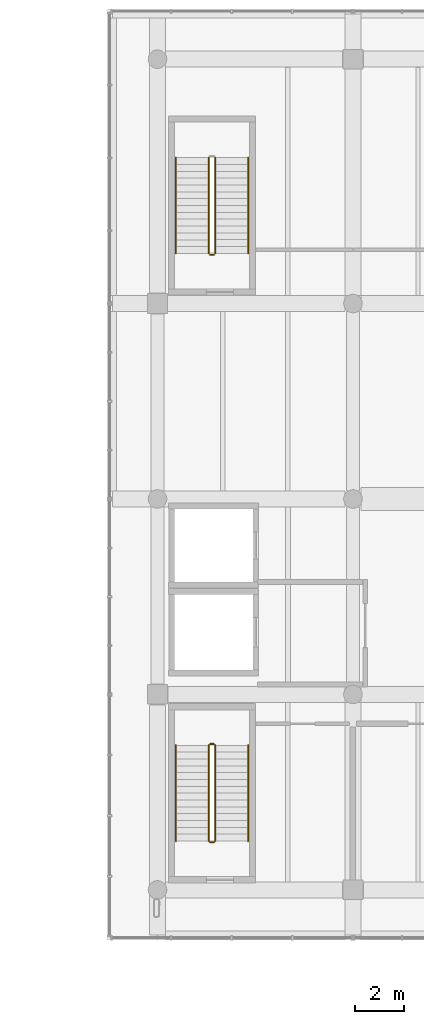
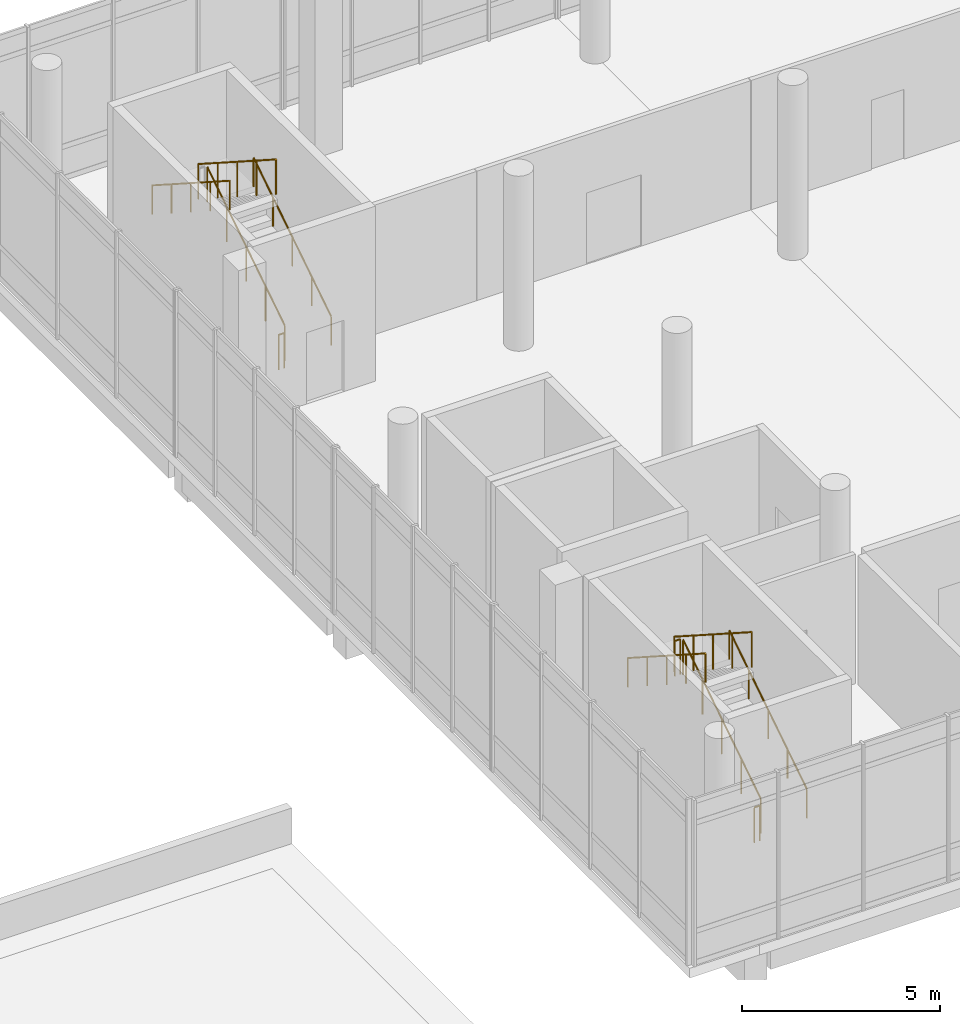
# One storey, part 17 of 20: 11 railings.
"""IFC4 building model written with IfcOpenShell, lengths in metres."""

from ifc_helpers import new_model, si_unit, direction, frame, origin, origin_2d, place, context, subcontext, project, spatial, circle, extrude, material, type_object, element, save


model = new_model("IFC4")

# Units and contexts
model_context = context("Model", 3, precision=1e-05, world=origin(), true_north=direction((0.0, 1.0)))
body_context = subcontext(model_context, "Body", "Model", "MODEL_VIEW")
ifc_project = project(units=[si_unit("LENGTHUNIT", "METRE"), si_unit("AREAUNIT", "SQUARE_METRE"), si_unit("VOLUMEUNIT", "CUBIC_METRE"), si_unit("PLANEANGLEUNIT", "RADIAN"), si_unit("MASSUNIT", "GRAM", prefix="KILO")], contexts=[model_context])

# Site, building, storey
site_placement = place(None, origin())
site = spatial("IfcSite", under=ifc_project, at=site_placement, CompositionType="ELEMENT")
building_placement = place(site_placement, origin())
building = spatial("IfcBuilding", under=site, at=building_placement, Name="Pecanmere Concourse Central Library", CompositionType="ELEMENT")
storey_placement = place(building_placement, frame((0.0, 0.0, 24.89990234375)))
storey = spatial("IfcBuildingStorey", under=building, at=storey_placement, Name="L06", CompositionType="ELEMENT", Elevation=24.89990234375)

# Railings
ifc_material_1 = material(Name="Painted architectural steel ASTM A36", Category="steel")
railing_type_1 = type_object("IfcRailingType", Name="RAIL_STAIR_GUARD", PredefinedType="GUARDRAIL", material=ifc_material_1)
railing_1_placement = place(storey_placement, frame((74.360107421875, 92.0, 0.18017578125)))
element("IfcRailing", 1, at=railing_1_placement, inside=storey, type_object=railing_type_1, Name="L06 ST-01 Guard 1", PredefinedType="GUARDRAIL", context=body_context, shape_type="SweptSolid", body=[
    extrude(circle(Radius=0.02392578125, at=origin_2d()), frame((0.0, 0.0, 1.076171875), z_axis=(0.0, 0.841171666519, 0.540768182723), x_axis=(-1.0, 0.0, 0.0)), (0.0, 0.0, 1.0), 4.66015625),
    extrude(circle(Radius=0.02099609375, at=origin_2d()), origin(), (0.0, 0.0, 1.0), 1.052001953125),
    extrude(circle(Radius=0.02099609375, at=origin_2d()), frame((0.0, 0.97998046875, 0.6298828125)), (0.0, 0.0, 1.0), 1.052001953125),
    extrude(circle(Radius=0.02099609375, at=origin_2d()), frame((0.0, 1.9599609375, 1.260009765625)), (0.0, 0.0, 1.0), 1.052001953125),
    extrude(circle(Radius=0.02099609375, at=origin_2d()), frame((0.0, 2.93994140625, 1.89013671875)), (0.0, 0.0, 1.0), 1.052001953125),
    extrude(circle(Radius=0.02099609375, at=origin_2d()), frame((0.0, 3.919921875, 2.52001953125)), (0.0, 0.0, 1.0), 1.052001953125),
])
railing_2_placement = place(storey_placement, frame((74.31005859375, 95.969970703125, 2.7001953125)))
element("IfcRailing", 2, at=railing_2_placement, inside=storey, type_object=railing_type_1, Name="L06 ST-01 Guard 2", PredefinedType="GUARDRAIL", context=body_context, shape_type="SweptSolid", body=[
    extrude(circle(Radius=0.02392578125, at=origin_2d()), frame((0.0, 0.0, 1.076171875), z_axis=(-1.0, 0.0, 0.0), x_axis=(0.0, -1.0, 0.0)), (0.0, 0.0, 1.0), 0.16015625),
    extrude(circle(Radius=0.02099609375, at=origin_2d()), origin(), (0.0, 0.0, 1.0), 1.052001953125),
    extrude(circle(Radius=0.02099609375, at=origin_2d()), frame((-0.16015625, 0.0, 0.0)), (0.0, 0.0, 1.0), 1.052001953125),
])
railing_3_placement = place(storey_placement, frame((74.10009765625, 95.919921875, 2.880126953125)))
element("IfcRailing", 3, at=railing_3_placement, inside=storey, type_object=railing_type_1, Name="L06 ST-01 Guard 3", PredefinedType="GUARDRAIL", context=body_context, shape_type="SweptSolid", body=[
    extrude(circle(Radius=0.02392578125, at=origin_2d()), frame((0.0, 0.0, 1.076171875), z_axis=(0.0, -0.841171666519, 0.540768182723), x_axis=(1.0, 0.0, 0.0)), (0.0, 0.0, 1.0), 4.66015625),
    extrude(circle(Radius=0.02099609375, at=origin_2d()), origin(), (0.0, 0.0, 1.0), 1.052001953125),
    extrude(circle(Radius=0.02099609375, at=origin_2d()), frame((0.0, -0.97998046875, 0.6298828125)), (0.0, 0.0, 1.0), 1.052001953125),
    extrude(circle(Radius=0.02099609375, at=origin_2d()), frame((0.0, -1.9599609375, 1.260009765625)), (0.0, 0.0, 1.0), 1.052001953125),
    extrude(circle(Radius=0.02099609375, at=origin_2d()), frame((0.0, -2.93994140625, 1.89013671875)), (0.0, 0.0, 1.0), 1.052001953125),
    extrude(circle(Radius=0.02099609375, at=origin_2d()), frame((0.0, -3.919921875, 2.52001953125)), (0.0, 0.0, 1.0), 1.052001953125),
])
railing_4_placement = place(storey_placement, frame((74.31005859375, 91.949951171875, 0.0)))
element("IfcRailing", 4, at=railing_4_placement, inside=storey, type_object=railing_type_1, Name="L06 ST-01 Guard 4", PredefinedType="GUARDRAIL", context=body_context, shape_type="SweptSolid", body=[
    extrude(circle(Radius=0.02392578125, at=origin_2d()), frame((0.0, 0.0, 1.076171875), z_axis=(-1.0, 0.0, 0.0), x_axis=(0.0, -1.0, 0.0)), (0.0, 0.0, 1.0), 0.16015625),
    extrude(circle(Radius=0.02099609375, at=origin_2d()), origin(), (0.0, 0.0, 1.0), 1.052001953125),
    extrude(circle(Radius=0.02099609375, at=origin_2d()), frame((-0.16015625, 0.0, 0.0)), (0.0, 0.0, 1.0), 1.052001953125),
])
railing_5_placement = place(storey_placement, frame((74.360107421875, 116.050048828125, 0.18017578125)))
element("IfcRailing", 5, at=railing_5_placement, inside=storey, type_object=railing_type_1, Name="L06 ST-03 Guard 1", PredefinedType="GUARDRAIL", context=body_context, shape_type="SweptSolid", body=[
    extrude(circle(Radius=0.02392578125, at=origin_2d()), frame((0.0, 0.0, 1.076171875), z_axis=(0.0, 0.841171666519, 0.540768182723), x_axis=(-1.0, 0.0, 0.0)), (0.0, 0.0, 1.0), 4.66015625),
    extrude(circle(Radius=0.02099609375, at=origin_2d()), origin(), (0.0, 0.0, 1.0), 1.052001953125),
    extrude(circle(Radius=0.02099609375, at=origin_2d()), frame((0.0, 0.97998046875, 0.6298828125)), (0.0, 0.0, 1.0), 1.052001953125),
    extrude(circle(Radius=0.02099609375, at=origin_2d()), frame((0.0, 1.9599609375, 1.260009765625)), (0.0, 0.0, 1.0), 1.052001953125),
    extrude(circle(Radius=0.02099609375, at=origin_2d()), frame((0.0, 2.93994140625, 1.89013671875)), (0.0, 0.0, 1.0), 1.052001953125),
    extrude(circle(Radius=0.02099609375, at=origin_2d()), frame((0.0, 3.919921875, 2.52001953125)), (0.0, 0.0, 1.0), 1.052001953125),
])
railing_6_placement = place(storey_placement, frame((74.10009765625, 119.969970703125, 2.880126953125)))
element("IfcRailing", 6, at=railing_6_placement, inside=storey, type_object=railing_type_1, Name="L06 ST-03 Guard 3", PredefinedType="GUARDRAIL", context=body_context, shape_type="SweptSolid", body=[
    extrude(circle(Radius=0.02392578125, at=origin_2d()), frame((0.0, 0.0, 1.076171875), z_axis=(0.0, -0.841171666519, 0.540768182723), x_axis=(1.0, 0.0, 0.0)), (0.0, 0.0, 1.0), 4.66015625),
    extrude(circle(Radius=0.02099609375, at=origin_2d()), origin(), (0.0, 0.0, 1.0), 1.052001953125),
    extrude(circle(Radius=0.02099609375, at=origin_2d()), frame((0.0, -0.97998046875, 0.6298828125)), (0.0, 0.0, 1.0), 1.052001953125),
    extrude(circle(Radius=0.02099609375, at=origin_2d()), frame((0.0, -1.9599609375, 1.260009765625)), (0.0, 0.0, 1.0), 1.052001953125),
    extrude(circle(Radius=0.02099609375, at=origin_2d()), frame((0.0, -2.93994140625, 1.89013671875)), (0.0, 0.0, 1.0), 1.052001953125),
    extrude(circle(Radius=0.02099609375, at=origin_2d()), frame((0.0, -3.919921875, 2.52001953125)), (0.0, 0.0, 1.0), 1.052001953125),
])
railing_7_placement = place(storey_placement, frame((74.31005859375, 116.0, 0.0)))
element("IfcRailing", 7, at=railing_7_placement, inside=storey, type_object=railing_type_1, Name="L06 ST-03 Guard 4", PredefinedType="GUARDRAIL", context=body_context, shape_type="SweptSolid", body=[
    extrude(circle(Radius=0.02392578125, at=origin_2d()), frame((0.0, 0.0, 1.076171875), z_axis=(-1.0, 0.0, 0.0), x_axis=(0.0, -1.0, 0.0)), (0.0, 0.0, 1.0), 0.16015625),
    extrude(circle(Radius=0.02099609375, at=origin_2d()), origin(), (0.0, 0.0, 1.0), 1.052001953125),
    extrude(circle(Radius=0.02099609375, at=origin_2d()), frame((-0.16015625, 0.0, 0.0)), (0.0, 0.0, 1.0), 1.052001953125),
])
ifc_material_2 = material(Name="Brushed stainless steel Grade 316", Category="steel")
railing_type_2 = type_object("IfcRailingType", Name="RAIL_STAIR_HR", PredefinedType="HANDRAIL", material=ifc_material_2)
railing_8_placement = place(storey_placement, frame((75.7099609375, 92.0, 0.18017578125)))
element("IfcRailing", 8, at=railing_8_placement, inside=storey, type_object=railing_type_2, Name="L06 ST-01 Handrail 1", PredefinedType="HANDRAIL", context=body_context, shape_type="SweptSolid", body=[
    extrude(circle(Radius=0.02392578125, at=origin_2d()), frame((0.0, 0.0, 0.89111328125), z_axis=(0.0, 0.841171666519, 0.540768182723), x_axis=(-1.0, 0.0, 0.0)), (0.0, 0.0, 1.0), 4.66015625),
    extrude(circle(Radius=0.02099609375, at=origin_2d()), origin(), (0.0, 0.0, 1.0), 0.866943359375),
    extrude(circle(Radius=0.02099609375, at=origin_2d()), frame((0.0, 0.97998046875, 0.6298828125)), (0.0, 0.0, 1.0), 0.866943359375),
    extrude(circle(Radius=0.02099609375, at=origin_2d()), frame((0.0, 1.9599609375, 1.260009765625)), (0.0, 0.0, 1.0), 0.866943359375),
    extrude(circle(Radius=0.02099609375, at=origin_2d()), frame((0.0, 2.93994140625, 1.89013671875)), (0.0, 0.0, 1.0), 0.866943359375),
    extrude(circle(Radius=0.02099609375, at=origin_2d()), frame((0.0, 3.919921875, 2.52001953125)), (0.0, 0.0, 1.0), 0.866943359375),
])
railing_9_placement = place(storey_placement, frame((72.75, 95.919921875, 2.880126953125)))
element("IfcRailing", 9, at=railing_9_placement, inside=storey, type_object=railing_type_2, Name="L06 ST-01 Handrail 2", PredefinedType="HANDRAIL", context=body_context, shape_type="SweptSolid", body=[
    extrude(circle(Radius=0.02392578125, at=origin_2d()), frame((0.0, 0.0, 0.89111328125), z_axis=(0.0, -0.841171666519, 0.540768182723), x_axis=(1.0, 0.0, 0.0)), (0.0, 0.0, 1.0), 4.66015625),
    extrude(circle(Radius=0.02099609375, at=origin_2d()), origin(), (0.0, 0.0, 1.0), 0.866943359375),
    extrude(circle(Radius=0.02099609375, at=origin_2d()), frame((0.0, -0.97998046875, 0.6298828125)), (0.0, 0.0, 1.0), 0.866943359375),
    extrude(circle(Radius=0.02099609375, at=origin_2d()), frame((0.0, -1.9599609375, 1.260009765625)), (0.0, 0.0, 1.0), 0.866943359375),
    extrude(circle(Radius=0.02099609375, at=origin_2d()), frame((0.0, -2.93994140625, 1.89013671875)), (0.0, 0.0, 1.0), 0.866943359375),
    extrude(circle(Radius=0.02099609375, at=origin_2d()), frame((0.0, -3.919921875, 2.52001953125)), (0.0, 0.0, 1.0), 0.866943359375),
])
railing_10_placement = place(storey_placement, frame((75.7099609375, 116.050048828125, 0.18017578125)))
element("IfcRailing", 10, at=railing_10_placement, inside=storey, type_object=railing_type_2, Name="L06 ST-03 Handrail 1", PredefinedType="HANDRAIL", context=body_context, shape_type="SweptSolid", body=[
    extrude(circle(Radius=0.02392578125, at=origin_2d()), frame((0.0, 0.0, 0.89111328125), z_axis=(0.0, 0.841171666519, 0.540768182723), x_axis=(-1.0, 0.0, 0.0)), (0.0, 0.0, 1.0), 4.66015625),
    extrude(circle(Radius=0.02099609375, at=origin_2d()), origin(), (0.0, 0.0, 1.0), 0.866943359375),
    extrude(circle(Radius=0.02099609375, at=origin_2d()), frame((0.0, 0.97998046875, 0.6298828125)), (0.0, 0.0, 1.0), 0.866943359375),
    extrude(circle(Radius=0.02099609375, at=origin_2d()), frame((0.0, 1.9599609375, 1.260009765625)), (0.0, 0.0, 1.0), 0.866943359375),
    extrude(circle(Radius=0.02099609375, at=origin_2d()), frame((0.0, 2.93994140625, 1.89013671875)), (0.0, 0.0, 1.0), 0.866943359375),
    extrude(circle(Radius=0.02099609375, at=origin_2d()), frame((0.0, 3.919921875, 2.52001953125)), (0.0, 0.0, 1.0), 0.866943359375),
])
railing_11_placement = place(storey_placement, frame((72.75, 119.969970703125, 2.880126953125)))
element("IfcRailing", 11, at=railing_11_placement, inside=storey, type_object=railing_type_2, Name="L06 ST-03 Handrail 2", PredefinedType="HANDRAIL", context=body_context, shape_type="SweptSolid", body=[
    extrude(circle(Radius=0.02392578125, at=origin_2d()), frame((0.0, 0.0, 0.89111328125), z_axis=(0.0, -0.841171666519, 0.540768182723), x_axis=(1.0, 0.0, 0.0)), (0.0, 0.0, 1.0), 4.66015625),
    extrude(circle(Radius=0.02099609375, at=origin_2d()), origin(), (0.0, 0.0, 1.0), 0.866943359375),
    extrude(circle(Radius=0.02099609375, at=origin_2d()), frame((0.0, -0.97998046875, 0.6298828125)), (0.0, 0.0, 1.0), 0.866943359375),
    extrude(circle(Radius=0.02099609375, at=origin_2d()), frame((0.0, -1.9599609375, 1.260009765625)), (0.0, 0.0, 1.0), 0.866943359375),
    extrude(circle(Radius=0.02099609375, at=origin_2d()), frame((0.0, -2.93994140625, 1.89013671875)), (0.0, 0.0, 1.0), 0.866943359375),
    extrude(circle(Radius=0.02099609375, at=origin_2d()), frame((0.0, -3.919921875, 2.52001953125)), (0.0, 0.0, 1.0), 0.866943359375),
])

save(model, "model.ifc")
